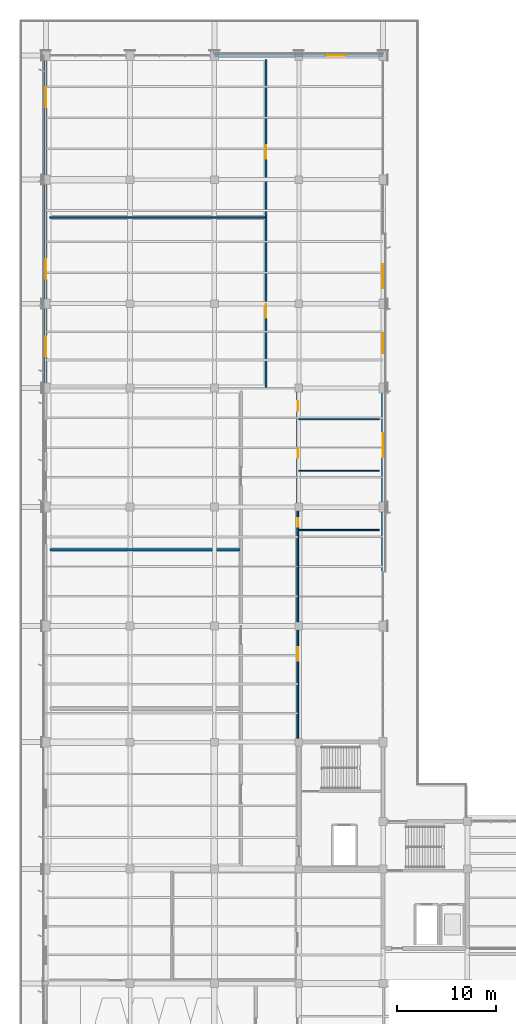
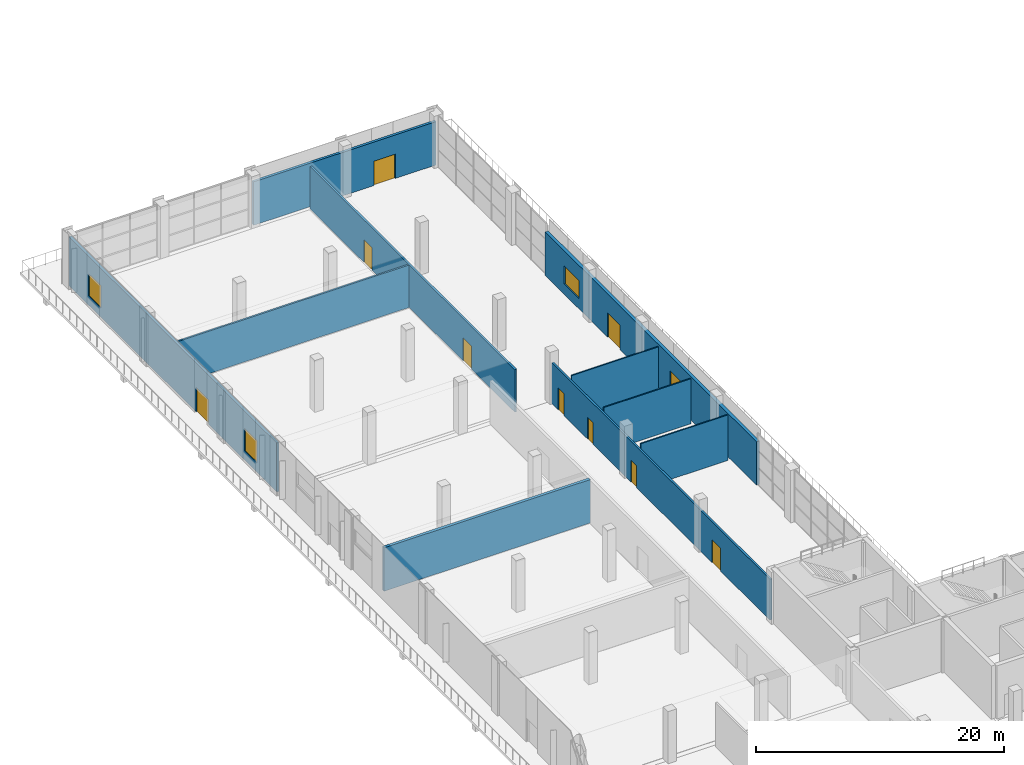
# One storey, part 69 of 90: 10 walls, 9 doors, 4 windows, 13 openings.
"""IFC4 building model written with IfcOpenShell, lengths in metres."""

from ifc_helpers import new_model, si_unit, direction, frame, frame_2d, origin, place, context, subcontext, project, spatial, rectangle, extrude, material, layer, layer_set, type_object, element, fill, save


model = new_model("IFC4")

# Units and contexts
model_context = context("Model", 3, precision=1e-05, world=origin(), true_north=direction((0.0, 1.0)))
body_context = subcontext(model_context, "Body", "Model", "MODEL_VIEW")
ifc_project = project(units=[si_unit("LENGTHUNIT", "METRE"), si_unit("AREAUNIT", "SQUARE_METRE"), si_unit("VOLUMEUNIT", "CUBIC_METRE"), si_unit("PLANEANGLEUNIT", "RADIAN"), si_unit("MASSUNIT", "GRAM", prefix="KILO")], contexts=[model_context])

# Site, building, storey
site_placement = place(None, origin())
site = spatial("IfcSite", under=ifc_project, at=site_placement, CompositionType="ELEMENT")
building_placement = place(site_placement, origin())
building = spatial("IfcBuilding", under=site, at=building_placement, Name="Solvikara Media Centre", CompositionType="ELEMENT")
storey_placement = place(building_placement, origin())
storey = spatial("IfcBuildingStorey", under=building, at=storey_placement, Name="L00", CompositionType="ELEMENT", Elevation=0.0)

# Wall, openings, door, windows
ifc_material_1 = material(Name="Precast concrete fc' 40 MPa (C40/50)", Category="concrete")
ifc_layer_1 = layer(ifc_material_1, 0.2900390625)
ifc_layer_set_1 = layer_set([ifc_layer_1], Name="Precast concrete fc' 40 MPa (C40/50)")
wall_type_1 = type_object("IfcWallType", Name="WT-11", PredefinedType="STANDARD", material=ifc_layer_set_1)
wall_1_placement = place(storey_placement, frame((34.0, 61.9599609375, 0.0), z_axis=(0.0, 0.0, 1.0), x_axis=(0.0, 1.0, 0.0)))
wall_1 = element("IfcWall", 1, at=wall_1_placement, inside=storey, type_object=wall_type_1, Name="EW-L00-V43-E", PredefinedType="STANDARD", context=body_context, shape_type="SweptSolid", body=[
    extrude(rectangle(XDim=34.080078125, YDim=0.2900390625, at=frame_2d((17.0400390625, 0.0))), origin(), (0.0, 0.0, 1.0), 4.280029296875),
])
opening_1_placement = place(wall_1_placement, frame((22.0400390625, 0.0, 0.0)))
opening_1 = element("IfcOpeningElement", 2, at=opening_1_placement, cuts=wall_1, Name="Opening EX-08", PredefinedType="OPENING", context=body_context, shape_type="SweptSolid", body=[
    extrude(rectangle(XDim=2.0, YDim=2.39990234375, at=frame_2d((1.0, 1.199951171875))), frame((0.0, 0.156982421875, 0.0), z_axis=(0.0, -1.0, 0.0), x_axis=(1.0, 0.0, 0.0)), (0.0, 0.0, 1.0), 0.31396484375),
])
opening_2_placement = place(wall_1_placement, frame((11.580078125, 0.0, 1.0)))
opening_2 = element("IfcOpeningElement", 3, at=opening_2_placement, cuts=wall_1, Name="Opening W-L00-V43E-W02", PredefinedType="OPENING", context=body_context, shape_type="SweptSolid", body=[
    extrude(rectangle(XDim=2.39990234375, YDim=1.800048828125, at=frame_2d((1.199951171875, 0.89990234375))), frame((0.0, 0.156982421875, 0.0), z_axis=(0.0, -1.0, 0.0), x_axis=(1.0, 0.0, 0.0)), (0.0, 0.0, 1.0), 0.31396484375),
])
opening_3_placement = place(wall_1_placement, frame((28.6201171875, 0.0, 1.0)))
opening_3 = element("IfcOpeningElement", 4, at=opening_3_placement, cuts=wall_1, Name="Opening W-L00-V43E-W04", PredefinedType="OPENING", context=body_context, shape_type="SweptSolid", body=[
    extrude(rectangle(XDim=2.39990234375, YDim=1.800048828125, at=frame_2d((1.199951171875, 0.89990234375))), frame((0.0, 0.156982421875, 0.0), z_axis=(0.0, -1.0, 0.0), x_axis=(1.0, 0.0, 0.0)), (0.0, 0.0, 1.0), 0.31396484375),
])
ifc_material_2 = material(Name="Anodised aluminium EN AW-6063", Category="aluminium")
door_type_1 = type_object("IfcDoorType", Name="DT-01", OperationType="DOUBLE_DOOR_SINGLE_SWING", PredefinedType="DOOR", material=ifc_material_2)
door_1_placement = place(opening_1_placement, frame((2.0, 0.0, 0.0), z_axis=(0.0, 0.0, 1.0), x_axis=(-1.0, 0.0, 0.0)))
door_1 = element("IfcDoor", 5, at=door_1_placement, inside=storey, type_object=door_type_1, Name="EX-08", OperationType="DOUBLE_DOOR_SINGLE_SWING", OverallHeight=2.39990234375, OverallWidth=2.0, PredefinedType="DOOR", context=body_context, shape_type="SweptSolid", body=[
    extrude(rectangle(XDim=2.0, YDim=2.39990234375, at=frame_2d((1.0, 1.199951171875))), frame((0.0, 0.02490234375, 0.0), z_axis=(0.0, -1.0, 0.0), x_axis=(1.0, 0.0, 0.0)), (0.0, 0.0, 1.0), 0.050048828125),
])
fill(opening_1, door_1)
ifc_material_3 = material(Name="Double-glazed low-E architectural glass", Category="glass")
window_type_1 = type_object("IfcWindowType", Name="WN-05", PartitioningType="SINGLE_PANEL", PredefinedType="WINDOW", material=ifc_material_3)
window_1_placement = place(opening_2_placement, origin())
window_1 = element("IfcWindow", 6, at=window_1_placement, inside=storey, type_object=window_type_1, Name="W-L00-V43E-W02", OverallHeight=1.800048828125, OverallWidth=2.39990234375, PartitioningType="SINGLE_PANEL", PredefinedType="WINDOW", context=body_context, shape_type="SweptSolid", body=[
    extrude(rectangle(XDim=2.39990234375, YDim=1.800048828125, at=frame_2d((1.199951171875, 0.89990234375))), frame((0.0, 0.030029296875, 0.0), z_axis=(0.0, -1.0, 0.0), x_axis=(1.0, 0.0, 0.0)), (0.0, 0.0, 1.0), 0.06005859375),
])
fill(opening_2, window_1)
window_2_placement = place(opening_3_placement, origin())
window_2 = element("IfcWindow", 7, at=window_2_placement, inside=storey, type_object=window_type_1, Name="W-L00-V43E-W04", OverallHeight=1.800048828125, OverallWidth=2.39990234375, PartitioningType="SINGLE_PANEL", PredefinedType="WINDOW", context=body_context, shape_type="SweptSolid", body=[
    extrude(rectangle(XDim=2.39990234375, YDim=1.800048828125, at=frame_2d((1.199951171875, 0.89990234375))), frame((0.0, 0.030029296875, 0.0), z_axis=(0.0, -1.0, 0.0), x_axis=(1.0, 0.0, 0.0)), (0.0, 0.0, 1.0), 0.06005859375),
])
fill(opening_3, window_2)

ifc_layer_2 = layer(ifc_material_1, 0.239990234375)
ifc_layer_set_2 = layer_set([ifc_layer_2], Name="Precast concrete fc' 40 MPa (C40/50)")
wall_type_2 = type_object("IfcWallType", Name="WT-13", PredefinedType="STANDARD", material=ifc_layer_set_2)
wall_2_placement = place(storey_placement, frame((0.0, 80.5, 0.0), z_axis=(0.0, 0.0, 1.0), x_axis=(0.0, 1.0, 0.0)))
wall_2 = element("IfcWall", 8, at=wall_2_placement, inside=storey, type_object=wall_type_2, Name="EW-L00-V3-W", PredefinedType="STANDARD", context=body_context, shape_type="SweptSolid", body=[
    extrude(rectangle(XDim=33.5, YDim=0.239990234375, at=frame_2d((16.75, 0.0))), origin(), (0.0, 0.0, 1.0), 4.80810546875),
])
opening_4_placement = place(wall_2_placement, frame((11.0, 0.0, 0.0)))
opening_4 = element("IfcOpeningElement", 9, at=opening_4_placement, cuts=wall_2, Name="Opening EX-06", PredefinedType="OPENING", context=body_context, shape_type="SweptSolid", body=[
    extrude(rectangle(XDim=2.0, YDim=2.39990234375, at=frame_2d((1.0, 1.199951171875))), frame((0.0, 0.1318359375, 0.0), z_axis=(0.0, -1.0, 0.0), x_axis=(1.0, 0.0, 0.0)), (0.0, 0.0, 1.0), 0.263916015625),
])
opening_5_placement = place(wall_2_placement, frame((3.18798828125, 0.0, 0.89990234375)))
opening_5 = element("IfcOpeningElement", 10, at=opening_5_placement, cuts=wall_2, Name="Opening W-L00-V3W-W01", PredefinedType="OPENING", context=body_context, shape_type="SweptSolid", body=[
    extrude(rectangle(XDim=2.0, YDim=2.199951171875, at=frame_2d((1.0, 1.10009765625))), frame((0.0, 0.1318359375, 0.0), z_axis=(0.0, -1.0, 0.0), x_axis=(1.0, 0.0, 0.0)), (0.0, 0.0, 1.0), 0.263916015625),
])
opening_6_placement = place(wall_2_placement, frame((28.31201171875, 0.0, 0.89990234375)))
opening_6 = element("IfcOpeningElement", 11, at=opening_6_placement, cuts=wall_2, Name="Opening W-L00-V3W-W04", PredefinedType="OPENING", context=body_context, shape_type="SweptSolid", body=[
    extrude(rectangle(XDim=2.0, YDim=2.199951171875, at=frame_2d((1.0, 1.10009765625))), frame((0.0, 0.1318359375, 0.0), z_axis=(0.0, -1.0, 0.0), x_axis=(1.0, 0.0, 0.0)), (0.0, 0.0, 1.0), 0.263916015625),
])
door_2_placement = place(opening_4_placement, origin())
door_2 = element("IfcDoor", 12, at=door_2_placement, inside=storey, type_object=door_type_1, Name="EX-06", OperationType="DOUBLE_DOOR_SINGLE_SWING", OverallHeight=2.39990234375, OverallWidth=2.0, PredefinedType="DOOR", context=body_context, shape_type="SweptSolid", body=[
    extrude(rectangle(XDim=2.0, YDim=2.39990234375, at=frame_2d((1.0, 1.199951171875))), frame((0.0, 0.02490234375, 0.0), z_axis=(0.0, -1.0, 0.0), x_axis=(1.0, 0.0, 0.0)), (0.0, 0.0, 1.0), 0.050048828125),
])
fill(opening_4, door_2)
window_type_2 = type_object("IfcWindowType", Name="WN-08", PartitioningType="SINGLE_PANEL", PredefinedType="WINDOW", material=ifc_material_3)
window_3_placement = place(opening_5_placement, origin())
window_3 = element("IfcWindow", 13, at=window_3_placement, inside=storey, type_object=window_type_2, Name="W-L00-V3W-W01", OverallHeight=2.199951171875, OverallWidth=2.0, PartitioningType="SINGLE_PANEL", PredefinedType="WINDOW", context=body_context, shape_type="SweptSolid", body=[
    extrude(rectangle(XDim=2.0, YDim=2.199951171875, at=frame_2d((1.0, 1.10009765625))), frame((0.0, 0.030029296875, 0.0), z_axis=(0.0, -1.0, 0.0), x_axis=(1.0, 0.0, 0.0)), (0.0, 0.0, 1.0), 0.06005859375),
])
fill(opening_5, window_3)
window_4_placement = place(opening_6_placement, origin())
window_4 = element("IfcWindow", 14, at=window_4_placement, inside=storey, type_object=window_type_2, Name="W-L00-V3W-W04", OverallHeight=2.199951171875, OverallWidth=2.0, PartitioningType="SINGLE_PANEL", PredefinedType="WINDOW", context=body_context, shape_type="SweptSolid", body=[
    extrude(rectangle(XDim=2.0, YDim=2.199951171875, at=frame_2d((1.0, 1.10009765625))), frame((0.0, 0.030029296875, 0.0), z_axis=(0.0, -1.0, 0.0), x_axis=(1.0, 0.0, 0.0)), (0.0, 0.0, 1.0), 0.06005859375),
])
fill(opening_6, window_4)

# Wall, opening, door
wall_3_placement = place(storey_placement, frame((17.0, 114.0, 0.0), z_axis=(0.0, 0.0, 1.0), x_axis=(1.0, 0.0, 0.0)))
wall_3 = element("IfcWall", 15, at=wall_3_placement, inside=storey, type_object=wall_type_2, Name="EW-L00-V3-N", PredefinedType="STANDARD", context=body_context, shape_type="SweptSolid", body=[
    extrude(rectangle(XDim=17.0, YDim=0.239990234375, at=frame_2d((8.5, 0.0))), origin(), (0.0, 0.0, 1.0), 4.280029296875),
])
opening_7_placement = place(wall_3_placement, frame((11.199951171875, 0.0, 0.0)))
opening_7 = element("IfcOpeningElement", 16, at=opening_7_placement, cuts=wall_3, Name="Opening EX-07", PredefinedType="OPENING", context=body_context, shape_type="SweptSolid", body=[
    extrude(rectangle(XDim=2.0, YDim=2.39990234375, at=frame_2d((1.0, 1.199951171875))), frame((0.0, 0.1318359375, 0.0), z_axis=(0.0, -1.0, 0.0), x_axis=(1.0, 0.0, 0.0)), (0.0, 0.0, 1.0), 0.263916015625),
])
door_3_placement = place(opening_7_placement, origin())
door_3 = element("IfcDoor", 17, at=door_3_placement, inside=storey, type_object=door_type_1, Name="EX-07", OperationType="DOUBLE_DOOR_SINGLE_SWING", OverallHeight=2.39990234375, OverallWidth=2.0, PredefinedType="DOOR", context=body_context, shape_type="SweptSolid", body=[
    extrude(rectangle(XDim=2.0, YDim=2.39990234375, at=frame_2d((1.0, 1.199951171875))), frame((0.0, 0.02490234375, 0.0), z_axis=(0.0, -1.0, 0.0), x_axis=(1.0, 0.0, 0.0)), (0.0, 0.0, 1.0), 0.050048828125),
])
fill(opening_7, door_3)

# Wall
ifc_material_4 = material(Name="Double-stud acoustic gypsum partition assembly")
ifc_layer_3 = layer(ifc_material_4, 0.27001953125)
ifc_layer_set_3 = layer_set([ifc_layer_3], Name="Double-stud acoustic gypsum partition assembly")
wall_type_3 = type_object("IfcWallType", Name="WT-16", PredefinedType="PARTITIONING", material=ifc_layer_set_3)
wall_4_placement = place(storey_placement, frame((0.39990234375, 64.199951171875, 0.0), z_axis=(0.0, 0.0, 1.0), x_axis=(1.0, 0.0, 0.0)))
element("IfcWall", 18, at=wall_4_placement, inside=storey, type_object=wall_type_3, Name="PW-L00-019", PredefinedType="PARTITIONING", context=body_context, shape_type="SweptSolid", body=[
    extrude(rectangle(XDim=19.2001953125, YDim=0.27001953125, at=frame_2d((9.60009765625, 0.0))), origin(), (0.0, 0.0, 1.0), 4.280029296875),
])

# Wall, openings, doors
ifc_material_5 = material(Name="Fire-rated gypsum and mineral-wool shaft wall assembly")
ifc_layer_4 = layer(ifc_material_5, 0.179931640625)
ifc_layer_set_4 = layer_set([ifc_layer_4], Name="Fire-rated gypsum and mineral-wool shaft wall assembly")
wall_type_4 = type_object("IfcWallType", Name="WT-18", PredefinedType="PARTITIONING", material=ifc_layer_set_4)
wall_5_placement = place(storey_placement, frame((25.39990234375, 45.0, 0.0), z_axis=(0.0, 0.0, 1.0), x_axis=(0.0, 1.0, 0.0)))
wall_5 = element("IfcWall", 19, at=wall_5_placement, inside=storey, type_object=wall_type_4, Name="PW-L00-020", PredefinedType="PARTITIONING", context=body_context, shape_type="SweptSolid", body=[
    extrude(rectangle(XDim=35.199951171875, YDim=0.179931640625, at=frame_2d((17.60009765625, 0.0))), origin(), (0.0, 0.0, 1.0), 4.030029296875),
])
opening_8_placement = place(wall_5_placement, frame((8.0, 0.0, 0.0)))
opening_8 = element("IfcOpeningElement", 20, at=opening_8_placement, cuts=wall_5, Name="Opening D-L00-020-1", PredefinedType="OPENING", context=body_context, shape_type="SweptSolid", body=[
    extrude(rectangle(XDim=1.35009765625, YDim=2.25, at=frame_2d((0.675048828125, 1.125))), frame((0.0, 0.10205078125, 0.0), z_axis=(0.0, -1.0, 0.0), x_axis=(1.0, 0.0, 0.0)), (0.0, 0.0, 1.0), 0.203857421875),
])
opening_9_placement = place(wall_5_placement, frame((21.5, 0.0, 0.0)))
opening_9 = element("IfcOpeningElement", 21, at=opening_9_placement, cuts=wall_5, Name="Opening D-L00-020-2", PredefinedType="OPENING", context=body_context, shape_type="SweptSolid", body=[
    extrude(rectangle(XDim=0.89990234375, YDim=2.14990234375, at=frame_2d((0.449951171875, 1.074951171875))), frame((0.0, 0.10205078125, 0.0), z_axis=(0.0, -1.0, 0.0), x_axis=(1.0, 0.0, 0.0)), (0.0, 0.0, 1.0), 0.203857421875),
])
opening_10_placement = place(wall_5_placement, frame((28.5, 0.0, 0.0)))
opening_10 = element("IfcOpeningElement", 22, at=opening_10_placement, cuts=wall_5, Name="Opening D-L00-020-3", PredefinedType="OPENING", context=body_context, shape_type="SweptSolid", body=[
    extrude(rectangle(XDim=0.89990234375, YDim=2.14990234375, at=frame_2d((0.449951171875, 1.074951171875))), frame((0.0, 0.10205078125, 0.0), z_axis=(0.0, -1.0, 0.0), x_axis=(1.0, 0.0, 0.0)), (0.0, 0.0, 1.0), 0.203857421875),
])
opening_11_placement = place(wall_5_placement, frame((33.199951171875, 0.0, 0.0)))
opening_11 = element("IfcOpeningElement", 23, at=opening_11_placement, cuts=wall_5, Name="Opening D-L00-020-4", PredefinedType="OPENING", context=body_context, shape_type="SweptSolid", body=[
    extrude(rectangle(XDim=0.949951171875, YDim=2.14990234375, at=frame_2d((0.47509765625, 1.074951171875))), frame((0.0, 0.10205078125, 0.0), z_axis=(0.0, -1.0, 0.0), x_axis=(1.0, 0.0, 0.0)), (0.0, 0.0, 1.0), 0.203857421875),
])
ifc_material_6 = material(Name="Solid core acoustic hardwood timber", Category="wood")
door_type_2 = type_object("IfcDoorType", Name="DT-17", OperationType="NOTDEFINED", PredefinedType="DOOR", material=ifc_material_6)
door_4_placement = place(opening_11_placement, frame((0.949951171875, 0.0, 0.0), z_axis=(0.0, 0.0, 1.0), x_axis=(-1.0, 0.0, 0.0)))
door_4 = element("IfcDoor", 24, at=door_4_placement, inside=storey, type_object=door_type_2, Name="D-L00-020-4", OperationType="SINGLE_SWING_LEFT", OverallHeight=2.14990234375, OverallWidth=0.949951171875, PredefinedType="DOOR", context=body_context, shape_type="SweptSolid", body=[
    extrude(rectangle(XDim=0.949951171875, YDim=2.14990234375, at=frame_2d((0.47509765625, 1.074951171875))), frame((0.0, 0.02490234375, 0.0), z_axis=(0.0, -1.0, 0.0), x_axis=(1.0, 0.0, 0.0)), (0.0, 0.0, 1.0), 0.050048828125),
])
fill(opening_11, door_4)
door_type_3 = type_object("IfcDoorType", Name="DT-18", OperationType="NOTDEFINED", PredefinedType="DOOR", material=ifc_material_6)
door_5_placement = place(opening_9_placement, origin())
door_5 = element("IfcDoor", 25, at=door_5_placement, inside=storey, type_object=door_type_3, Name="D-L00-020-2", OperationType="SINGLE_SWING_LEFT", OverallHeight=2.14990234375, OverallWidth=0.89990234375, PredefinedType="DOOR", context=body_context, shape_type="SweptSolid", body=[
    extrude(rectangle(XDim=0.89990234375, YDim=2.14990234375, at=frame_2d((0.449951171875, 1.074951171875))), frame((0.0, 0.02490234375, 0.0), z_axis=(0.0, -1.0, 0.0), x_axis=(1.0, 0.0, 0.0)), (0.0, 0.0, 1.0), 0.050048828125),
])
fill(opening_9, door_5)
door_6_placement = place(opening_10_placement, origin())
door_6 = element("IfcDoor", 26, at=door_6_placement, inside=storey, type_object=door_type_3, Name="D-L00-020-3", OperationType="SINGLE_SWING_RIGHT", OverallHeight=2.14990234375, OverallWidth=0.89990234375, PredefinedType="DOOR", context=body_context, shape_type="SweptSolid", body=[
    extrude(rectangle(XDim=0.89990234375, YDim=2.14990234375, at=frame_2d((0.449951171875, 1.074951171875))), frame((0.0, 0.02490234375, 0.0), z_axis=(0.0, -1.0, 0.0), x_axis=(1.0, 0.0, 0.0)), (0.0, 0.0, 1.0), 0.050048828125),
])
fill(opening_10, door_6)
door_type_4 = type_object("IfcDoorType", Name="DT-20", OperationType="DOUBLE_DOOR_SINGLE_SWING", PredefinedType="DOOR", material=ifc_material_2)
door_7_placement = place(opening_8_placement, origin())
door_7 = element("IfcDoor", 27, at=door_7_placement, inside=storey, type_object=door_type_4, Name="D-L00-020-1", OperationType="DOUBLE_DOOR_SINGLE_SWING", OverallHeight=2.25, OverallWidth=1.35009765625, PredefinedType="DOOR", context=body_context, shape_type="SweptSolid", body=[
    extrude(rectangle(XDim=1.35009765625, YDim=2.25, at=frame_2d((0.675048828125, 1.125))), frame((0.0, 0.02490234375, 0.0), z_axis=(0.0, -1.0, 0.0), x_axis=(1.0, 0.0, 0.0)), (0.0, 0.0, 1.0), 0.050048828125),
])
fill(opening_8, door_7)

wall_6_placement = place(storey_placement, frame((22.199951171875, 80.60009765625, 0.0), z_axis=(0.0, 0.0, 1.0), x_axis=(0.0, 1.0, 0.0)))
wall_6 = element("IfcWall", 28, at=wall_6_placement, inside=storey, type_object=wall_type_4, Name="PW-L00-024", PredefinedType="PARTITIONING", context=body_context, shape_type="SweptSolid", body=[
    extrude(rectangle(XDim=33.0, YDim=0.179931640625, at=frame_2d((16.5, 0.0))), origin(), (0.0, 0.0, 1.0), 4.179931640625),
])
opening_12_placement = place(wall_6_placement, frame((7.0, 0.0, 0.0)))
opening_12 = element("IfcOpeningElement", 29, at=opening_12_placement, cuts=wall_6, Name="Opening D-L00-024-1", PredefinedType="OPENING", context=body_context, shape_type="SweptSolid", body=[
    extrude(rectangle(XDim=1.35009765625, YDim=2.25, at=frame_2d((0.675048828125, 1.125))), frame((0.0, 0.10205078125, 0.0), z_axis=(0.0, -1.0, 0.0), x_axis=(1.0, 0.0, 0.0)), (0.0, 0.0, 1.0), 0.203857421875),
])
opening_13_placement = place(wall_6_placement, frame((23.0, 0.0, 0.0)))
opening_13 = element("IfcOpeningElement", 30, at=opening_13_placement, cuts=wall_6, Name="Opening D-L00-024-2", PredefinedType="OPENING", context=body_context, shape_type="SweptSolid", body=[
    extrude(rectangle(XDim=1.35009765625, YDim=2.25, at=frame_2d((0.675048828125, 1.125))), frame((0.0, 0.10205078125, 0.0), z_axis=(0.0, -1.0, 0.0), x_axis=(1.0, 0.0, 0.0)), (0.0, 0.0, 1.0), 0.203857421875),
])
door_8_placement = place(opening_12_placement, origin())
door_8 = element("IfcDoor", 31, at=door_8_placement, inside=storey, type_object=door_type_4, Name="D-L00-024-1", OperationType="DOUBLE_DOOR_SINGLE_SWING", OverallHeight=2.25, OverallWidth=1.35009765625, PredefinedType="DOOR", context=body_context, shape_type="SweptSolid", body=[
    extrude(rectangle(XDim=1.35009765625, YDim=2.25, at=frame_2d((0.675048828125, 1.125))), frame((0.0, 0.02490234375, 0.0), z_axis=(0.0, -1.0, 0.0), x_axis=(1.0, 0.0, 0.0)), (0.0, 0.0, 1.0), 0.050048828125),
])
fill(opening_12, door_8)
door_9_placement = place(opening_13_placement, origin())
door_9 = element("IfcDoor", 32, at=door_9_placement, inside=storey, type_object=door_type_4, Name="D-L00-024-2", OperationType="DOUBLE_DOOR_SINGLE_SWING", OverallHeight=2.25, OverallWidth=1.35009765625, PredefinedType="DOOR", context=body_context, shape_type="SweptSolid", body=[
    extrude(rectangle(XDim=1.35009765625, YDim=2.25, at=frame_2d((0.675048828125, 1.125))), frame((0.0, 0.02490234375, 0.0), z_axis=(0.0, -1.0, 0.0), x_axis=(1.0, 0.0, 0.0)), (0.0, 0.0, 1.0), 0.050048828125),
])
fill(opening_13, door_9)

# Walls
ifc_layer_5 = layer(ifc_material_4, 0.159912109375)
ifc_layer_set_5 = layer_set([ifc_layer_5], Name="Double-stud acoustic gypsum partition assembly")
wall_type_5 = type_object("IfcWallType", Name="WT-19", PredefinedType="PARTITIONING", material=ifc_layer_set_5)
wall_7_placement = place(storey_placement, frame((0.39990234375, 97.699951171875, 0.0), z_axis=(0.0, 0.0, 1.0), x_axis=(1.0, 0.0, 0.0)))
element("IfcWall", 33, at=wall_7_placement, inside=storey, type_object=wall_type_5, Name="PW-L00-025", PredefinedType="PARTITIONING", context=body_context, shape_type="SweptSolid", body=[
    extrude(rectangle(XDim=21.7001953125, YDim=0.159912109375, at=frame_2d((10.85009765625, 0.0))), origin(), (0.0, 0.0, 1.0), 4.179931640625),
])
ifc_layer_6 = layer(ifc_material_4, 0.1201171875)
ifc_layer_set_6 = layer_set([ifc_layer_6], Name="Double-stud acoustic gypsum partition assembly")
wall_type_6 = type_object("IfcWallType", Name="WT-21", PredefinedType="PARTITIONING", material=ifc_layer_set_6)
wall_8_placement = place(storey_placement, frame((25.5, 66.199951171875, 0.0), z_axis=(0.0, 0.0, 1.0), x_axis=(1.0, 0.0, 0.0)))
element("IfcWall", 34, at=wall_8_placement, inside=storey, type_object=wall_type_6, Name="PW-L00-021", PredefinedType="PARTITIONING", context=body_context, shape_type="SweptSolid", body=[
    extrude(rectangle(XDim=8.10009765625, YDim=0.1201171875, at=frame_2d((4.050048828125, 0.0))), origin(), (0.0, 0.0, 1.0), 4.47998046875),
])
for number, where, z_axis, x_axis, name in (
    (35, (25.5, 72.14990234375, 0.0), (0.0, 0.0, 1.0), (1.0, 0.0, 0.0), "PW-L00-022"),
    (36, (25.5, 77.35009765625, 0.0), (0.0, 0.0, 1.0), (1.0, 0.0, 0.0), "PW-L00-023"),
):
    element("IfcWall", number, at=place(storey_placement, frame(where, z_axis=z_axis, x_axis=x_axis)), inside=storey, type_object=wall_type_6, Name=name, PredefinedType="PARTITIONING", context=body_context, shape_type="SweptSolid", body=[
        extrude(rectangle(XDim=8.10009765625, YDim=0.1201171875, at=frame_2d((4.050048828125, 0.0))), origin(), (0.0, 0.0, 1.0), 4.429931640625),
    ])

save(model, "model.ifc")
